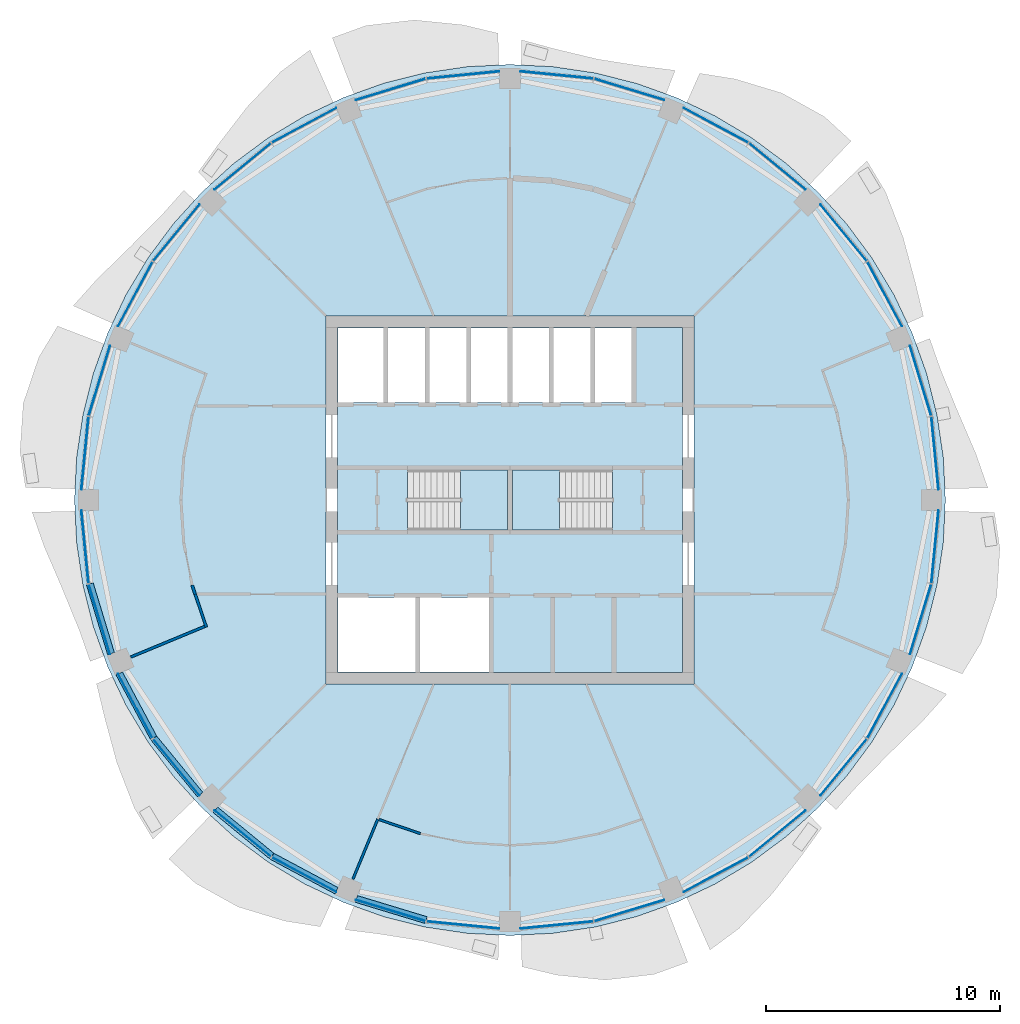
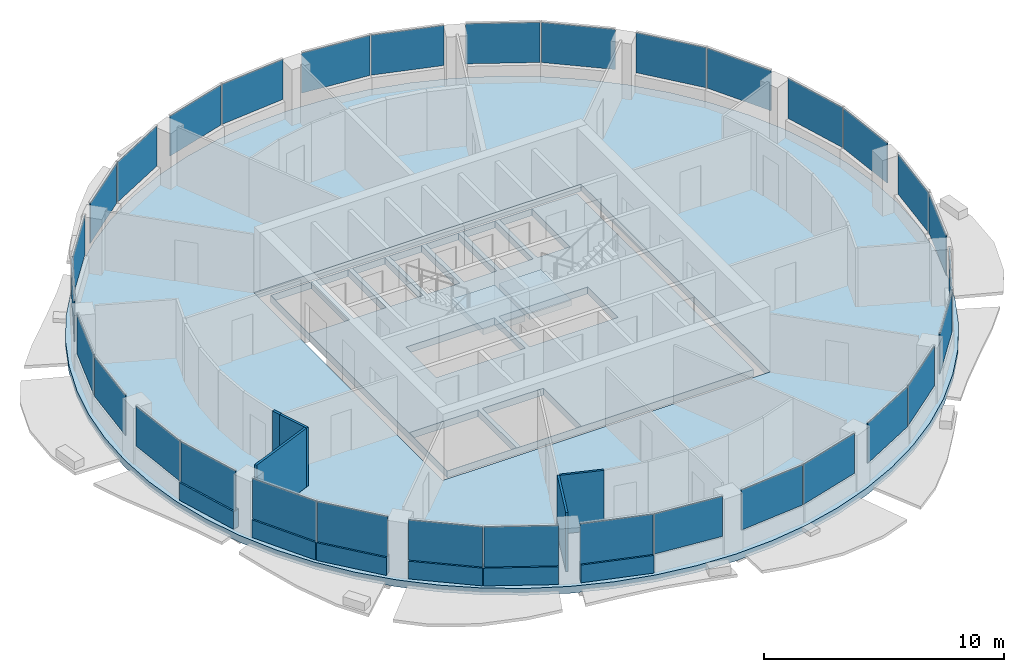
# One storey, part 7 of 15: 32 plates, 11 walls, 4 slabs, 18 elements without a shape of their own.
"""IFC4 building model written with IfcOpenShell, lengths in metres."""

from ifc_helpers import new_model, si_unit, direction, frame, frame_2d, origin, origin_2d, place, context, subcontext, project, spatial, polyline, rectangle, outline, extrude, material, layer, layer_set, type_object, element, aggregate, save


model = new_model("IFC4")

# Units and contexts
model_context = context("Model", 3, precision=1e-05, world=origin(), true_north=direction((0.0, 1.0)))
body_context = subcontext(model_context, "Body", "Model", "MODEL_VIEW")
ifc_project = project(units=[si_unit("LENGTHUNIT", "METRE"), si_unit("AREAUNIT", "SQUARE_METRE"), si_unit("VOLUMEUNIT", "CUBIC_METRE"), si_unit("PLANEANGLEUNIT", "RADIAN"), si_unit("MASSUNIT", "GRAM", prefix="KILO")], contexts=[model_context])

# Site, building, storey
site_placement = place(None, origin())
site = spatial("IfcSite", under=ifc_project, at=site_placement, CompositionType="ELEMENT")
building_placement = place(site_placement, origin())
building = spatial("IfcBuilding", under=site, at=building_placement, Name="Polderwave Tower", CompositionType="ELEMENT")
storey_placement = place(building_placement, frame((0.0, 0.0, 180.949951171875)))
storey = spatial("IfcBuildingStorey", under=building, at=storey_placement, Name="L48", CompositionType="ELEMENT", Elevation=180.949951171875)

# Slab
ifc_material_1 = material(Name="Concrete C40/50", Category="concrete")
ifc_layer_1 = layer(ifc_material_1, 0.35009765625)
ifc_layer_set_1 = layer_set([ifc_layer_1], Name="Core floor slab 350")
slab_type_1 = type_object("IfcSlabType", Name="Core floor slab 350", PredefinedType="FLOOR", material=ifc_layer_set_1)
slab_1_placement = place(storey_placement, frame((0.0, 0.0, -0.349853515625)))
element("IfcSlab", 1, at=slab_1_placement, inside=storey, type_object=slab_type_1, Name="L48 core floor", PredefinedType="FLOOR", context=body_context, shape_type="SweptSolid", body=[
    extrude(outline(polyline([(-7.3740234375, -7.3740234375), (7.3740234375, -7.3740234375), (7.3740234375, 7.3740234375), (-7.3740234375, 7.3740234375), (-7.3740234375, -7.3740234375)]), holes=[polyline([(-7.35400390625, -7.35400390625), (-4.037109375, -7.35400390625), (-4.037109375, -4.174072265625), (-7.35400390625, -4.174072265625), (-7.35400390625, -7.35400390625)]), polyline([(-3.8369140625, -7.35400390625), (-0.89990234375, -7.35400390625), (-0.89990234375, -4.174072265625), (-3.8369140625, -4.174072265625), (-3.8369140625, -7.35400390625)]), polyline([(-7.35400390625, 4.174072265625), (-5.405517578125, 4.174072265625), (-5.405517578125, 7.35400390625), (-7.35400390625, 7.35400390625), (-7.35400390625, 4.174072265625)]), polyline([(-5.20556640625, 4.174072265625), (-3.636962890625, 4.174072265625), (-3.636962890625, 7.35400390625), (-5.20556640625, 7.35400390625), (-5.20556640625, 4.174072265625)]), polyline([(-3.43701171875, 4.174072265625), (-1.868408203125, 4.174072265625), (-1.868408203125, 7.35400390625), (-3.43701171875, 7.35400390625), (-3.43701171875, 4.174072265625)]), polyline([(-1.66845703125, 4.174072265625), (-0.10009765625, 4.174072265625), (-0.10009765625, 7.35400390625), (-1.66845703125, 7.35400390625), (-1.66845703125, 4.174072265625)]), polyline([(0.10009765625, 4.174072265625), (1.66845703125, 4.174072265625), (1.66845703125, 7.35400390625), (0.10009765625, 7.35400390625), (0.10009765625, 4.174072265625)]), polyline([(1.868408203125, 4.174072265625), (3.43701171875, 4.174072265625), (3.43701171875, 7.35400390625), (1.868408203125, 7.35400390625), (1.868408203125, 4.174072265625)]), polyline([(3.636962890625, 4.174072265625), (5.20556640625, 4.174072265625), (5.20556640625, 7.35400390625), (3.636962890625, 7.35400390625), (3.636962890625, 4.174072265625)]), polyline([(-4.37353515625, -1.2744140625), (-0.1005859375, -1.2744140625), (-0.1005859375, 1.2744140625), (-4.37353515625, 1.2744140625), (-4.37353515625, -1.2744140625)]), polyline([(0.1005859375, -1.2744140625), (4.37353515625, -1.2744140625), (4.37353515625, 1.2744140625), (0.1005859375, 1.2744140625), (0.1005859375, -1.2744140625)])]), origin(), (0.0, 0.0, 1.0), 0.349853515625),
])

# Curtain wall, plates
ifc_material_2 = material(Name="Aluminium 6063-T6 and glass", Category="aluminium")
curtain_wall_type = type_object("IfcCurtainWallType", Name="Office ribbon glazing wall", PredefinedType="NOTDEFINED", material=ifc_material_2)
curtain_wall_1_placement = place(storey_placement, origin())
curtain_wall_1 = element("IfcCurtainWall", 2, at=curtain_wall_1_placement, inside=storey, type_object=curtain_wall_type, Name="CW3 L48 00", PredefinedType="NOTDEFINED")
ifc_material_3 = material(Name="Glass, low-e laminated double glazing", Category="glass")
ifc_layer_2 = layer(ifc_material_3, 0.031982421875)
ifc_layer_set_2 = layer_set([ifc_layer_2], Name="Office ribbon glazing glass panel 32 mm")
plate_type = type_object("IfcPlateType", Name="Office ribbon glazing glass panel 32 mm", PredefinedType="CURTAIN_PANEL", material=ifc_layer_set_2)
plate_1_placement = place(storey_placement, frame((18.1728515625, 2.00341796875, 0.900146484375), z_axis=(0.0, 0.0, 1.0), x_axis=(-0.098119618386, 0.995174628137, 0.0)))
plate_1 = element("IfcPlate", 3, at=plate_1_placement, type_object=plate_type, Name="CW3 panel 1", PredefinedType="CURTAIN_PANEL", context=body_context, shape_type="SweptSolid", body=[
    extrude(rectangle(XDim=3.12158203125, YDim=0.031982421875, at=origin_2d()), origin(), (0.0, 0.0, 1.0), 2.0400390625),
])
plate_2_placement = place(storey_placement, frame((17.555908203125, 5.103759765625, 0.900146484375), z_axis=(0.0, 0.0, 1.0), x_axis=(-0.290289687778, 0.956938815792, 0.0)))
plate_2 = element("IfcPlate", 4, at=plate_2_placement, type_object=plate_type, Name="CW3 panel 2", PredefinedType="CURTAIN_PANEL", context=body_context, shape_type="SweptSolid", body=[
    extrude(rectangle(XDim=3.12109375, YDim=0.031982421875, at=origin_2d()), origin(), (0.0, 0.0, 1.0), 2.0400390625),
])
aggregate(curtain_wall_1, [plate_1, plate_2])

curtain_wall_2_placement = place(storey_placement, origin())
curtain_wall_2 = element("IfcCurtainWall", 5, at=curtain_wall_2_placement, inside=storey, type_object=curtain_wall_type, Name="CW3 L48 01", PredefinedType="NOTDEFINED")
plate_3_placement = place(storey_placement, frame((16.02294921875, 8.805419921875, 0.900146484375), z_axis=(0.0, 0.0, 1.0), x_axis=(-0.471559888514, 0.88183403855, 0.0)))
plate_3 = element("IfcPlate", 6, at=plate_3_placement, type_object=plate_type, Name="CW3 panel 1", PredefinedType="CURTAIN_PANEL", context=body_context, shape_type="SweptSolid", body=[
    extrude(rectangle(XDim=3.12158203125, YDim=0.031982421875, at=origin_2d()), origin(), (0.0, 0.0, 1.0), 2.0400390625),
])
plate_4_placement = place(storey_placement, frame((14.266357421875, 11.43359375, 0.900146484375), z_axis=(0.0, 0.0, 1.0), x_axis=(-0.634482324366, 0.772937371374, 0.0)))
plate_4 = element("IfcPlate", 7, at=plate_4_placement, type_object=plate_type, Name="CW3 panel 2", PredefinedType="CURTAIN_PANEL", context=body_context, shape_type="SweptSolid", body=[
    extrude(rectangle(XDim=3.12158203125, YDim=0.031982421875, at=origin_2d()), origin(), (0.0, 0.0, 1.0), 2.0400390625),
])
aggregate(curtain_wall_2, [plate_3, plate_4])

curtain_wall_3_placement = place(storey_placement, origin())
curtain_wall_3 = element("IfcCurtainWall", 8, at=curtain_wall_3_placement, inside=storey, type_object=curtain_wall_type, Name="CW3 L48 02", PredefinedType="NOTDEFINED")
plate_5_placement = place(storey_placement, frame((11.43359375, 14.266357421875, 0.900146484375), z_axis=(0.0, 0.0, 1.0), x_axis=(-0.772937371374, 0.634482324366, 0.0)))
plate_5 = element("IfcPlate", 9, at=plate_5_placement, type_object=plate_type, Name="CW3 panel 1", PredefinedType="CURTAIN_PANEL", context=body_context, shape_type="SweptSolid", body=[
    extrude(rectangle(XDim=3.12158203125, YDim=0.031982421875, at=origin_2d()), origin(), (0.0, 0.0, 1.0), 2.0400390625),
])
plate_6_placement = place(storey_placement, frame((8.805419921875, 16.02294921875, 0.900146484375), z_axis=(0.0, 0.0, 1.0), x_axis=(-0.88183403855, 0.471559888514, 0.0)))
plate_6 = element("IfcPlate", 10, at=plate_6_placement, type_object=plate_type, Name="CW3 panel 2", PredefinedType="CURTAIN_PANEL", context=body_context, shape_type="SweptSolid", body=[
    extrude(rectangle(XDim=3.12158203125, YDim=0.031982421875, at=origin_2d()), origin(), (0.0, 0.0, 1.0), 2.0400390625),
])
aggregate(curtain_wall_3, [plate_5, plate_6])

curtain_wall_4_placement = place(storey_placement, origin())
curtain_wall_4 = element("IfcCurtainWall", 11, at=curtain_wall_4_placement, inside=storey, type_object=curtain_wall_type, Name="CW3 L48 03", PredefinedType="NOTDEFINED")
plate_7_placement = place(storey_placement, frame((5.103759765625, 17.555908203125, 0.900146484375), z_axis=(0.0, 0.0, 1.0), x_axis=(-0.956938815792, 0.290289687778, 0.0)))
plate_7 = element("IfcPlate", 12, at=plate_7_placement, type_object=plate_type, Name="CW3 panel 1", PredefinedType="CURTAIN_PANEL", context=body_context, shape_type="SweptSolid", body=[
    extrude(rectangle(XDim=3.12109375, YDim=0.031982421875, at=origin_2d()), origin(), (0.0, 0.0, 1.0), 2.0400390625),
])
plate_8_placement = place(storey_placement, frame((2.00341796875, 18.1728515625, 0.900146484375), z_axis=(0.0, 0.0, 1.0), x_axis=(-0.995174628137, 0.098119618386, 0.0)))
plate_8 = element("IfcPlate", 13, at=plate_8_placement, type_object=plate_type, Name="CW3 panel 2", PredefinedType="CURTAIN_PANEL", context=body_context, shape_type="SweptSolid", body=[
    extrude(rectangle(XDim=3.12158203125, YDim=0.031982421875, at=origin_2d()), origin(), (0.0, 0.0, 1.0), 2.0400390625),
])
aggregate(curtain_wall_4, [plate_7, plate_8])

curtain_wall_5_placement = place(storey_placement, origin())
curtain_wall_5 = element("IfcCurtainWall", 14, at=curtain_wall_5_placement, inside=storey, type_object=curtain_wall_type, Name="CW3 L48 04", PredefinedType="NOTDEFINED")
plate_9_placement = place(storey_placement, frame((-2.00341796875, 18.1728515625, 0.900146484375), z_axis=(0.0, 0.0, 1.0), x_axis=(-0.995174628137, -0.098119618386, 0.0)))
plate_9 = element("IfcPlate", 15, at=plate_9_placement, type_object=plate_type, Name="CW3 panel 1", PredefinedType="CURTAIN_PANEL", context=body_context, shape_type="SweptSolid", body=[
    extrude(rectangle(XDim=3.12158203125, YDim=0.031982421875, at=origin_2d()), origin(), (0.0, 0.0, 1.0), 2.0400390625),
])
plate_10_placement = place(storey_placement, frame((-5.103759765625, 17.555908203125, 0.900146484375), z_axis=(0.0, 0.0, 1.0), x_axis=(-0.956938815792, -0.290289687778, 0.0)))
plate_10 = element("IfcPlate", 16, at=plate_10_placement, type_object=plate_type, Name="CW3 panel 2", PredefinedType="CURTAIN_PANEL", context=body_context, shape_type="SweptSolid", body=[
    extrude(rectangle(XDim=3.12109375, YDim=0.031982421875, at=origin_2d()), origin(), (0.0, 0.0, 1.0), 2.0400390625),
])
aggregate(curtain_wall_5, [plate_9, plate_10])

curtain_wall_6_placement = place(storey_placement, origin())
curtain_wall_6 = element("IfcCurtainWall", 17, at=curtain_wall_6_placement, inside=storey, type_object=curtain_wall_type, Name="CW3 L48 05", PredefinedType="NOTDEFINED")
plate_11_placement = place(storey_placement, frame((-8.805419921875, 16.02294921875, 0.900146484375), z_axis=(0.0, 0.0, 1.0), x_axis=(-0.88183403855, -0.471559888514, 0.0)))
plate_11 = element("IfcPlate", 18, at=plate_11_placement, type_object=plate_type, Name="CW3 panel 1", PredefinedType="CURTAIN_PANEL", context=body_context, shape_type="SweptSolid", body=[
    extrude(rectangle(XDim=3.12158203125, YDim=0.031982421875, at=origin_2d()), origin(), (0.0, 0.0, 1.0), 2.0400390625),
])
plate_12_placement = place(storey_placement, frame((-11.43359375, 14.266357421875, 0.900146484375), z_axis=(0.0, 0.0, 1.0), x_axis=(-0.772937371374, -0.634482324366, 0.0)))
plate_12 = element("IfcPlate", 19, at=plate_12_placement, type_object=plate_type, Name="CW3 panel 2", PredefinedType="CURTAIN_PANEL", context=body_context, shape_type="SweptSolid", body=[
    extrude(rectangle(XDim=3.12158203125, YDim=0.031982421875, at=origin_2d()), origin(), (0.0, 0.0, 1.0), 2.0400390625),
])
aggregate(curtain_wall_6, [plate_11, plate_12])

curtain_wall_7_placement = place(storey_placement, origin())
curtain_wall_7 = element("IfcCurtainWall", 20, at=curtain_wall_7_placement, inside=storey, type_object=curtain_wall_type, Name="CW3 L48 06", PredefinedType="NOTDEFINED")
plate_13_placement = place(storey_placement, frame((-14.266357421875, 11.43359375, 0.900146484375), z_axis=(0.0, 0.0, 1.0), x_axis=(-0.634482324366, -0.772937371374, 0.0)))
plate_13 = element("IfcPlate", 21, at=plate_13_placement, type_object=plate_type, Name="CW3 panel 1", PredefinedType="CURTAIN_PANEL", context=body_context, shape_type="SweptSolid", body=[
    extrude(rectangle(XDim=3.12158203125, YDim=0.031982421875, at=origin_2d()), origin(), (0.0, 0.0, 1.0), 2.0400390625),
])
plate_14_placement = place(storey_placement, frame((-16.02294921875, 8.805419921875, 0.900146484375), z_axis=(0.0, 0.0, 1.0), x_axis=(-0.471559888514, -0.88183403855, 0.0)))
plate_14 = element("IfcPlate", 22, at=plate_14_placement, type_object=plate_type, Name="CW3 panel 2", PredefinedType="CURTAIN_PANEL", context=body_context, shape_type="SweptSolid", body=[
    extrude(rectangle(XDim=3.12158203125, YDim=0.031982421875, at=origin_2d()), origin(), (0.0, 0.0, 1.0), 2.0400390625),
])
aggregate(curtain_wall_7, [plate_13, plate_14])

curtain_wall_8_placement = place(storey_placement, origin())
curtain_wall_8 = element("IfcCurtainWall", 23, at=curtain_wall_8_placement, inside=storey, type_object=curtain_wall_type, Name="CW3 L48 07", PredefinedType="NOTDEFINED")
plate_15_placement = place(storey_placement, frame((-17.555908203125, 5.103759765625, 0.900146484375), z_axis=(0.0, 0.0, 1.0), x_axis=(-0.290289687778, -0.956938815792, 0.0)))
plate_15 = element("IfcPlate", 24, at=plate_15_placement, type_object=plate_type, Name="CW3 panel 1", PredefinedType="CURTAIN_PANEL", context=body_context, shape_type="SweptSolid", body=[
    extrude(rectangle(XDim=3.12109375, YDim=0.031982421875, at=origin_2d()), origin(), (0.0, 0.0, 1.0), 2.0400390625),
])
plate_16_placement = place(storey_placement, frame((-18.1728515625, 2.00341796875, 0.900146484375), z_axis=(0.0, 0.0, 1.0), x_axis=(-0.098119618386, -0.995174628137, 0.0)))
plate_16 = element("IfcPlate", 25, at=plate_16_placement, type_object=plate_type, Name="CW3 panel 2", PredefinedType="CURTAIN_PANEL", context=body_context, shape_type="SweptSolid", body=[
    extrude(rectangle(XDim=3.12158203125, YDim=0.031982421875, at=origin_2d()), origin(), (0.0, 0.0, 1.0), 2.0400390625),
])
aggregate(curtain_wall_8, [plate_15, plate_16])

curtain_wall_9_placement = place(storey_placement, origin())
curtain_wall_9 = element("IfcCurtainWall", 26, at=curtain_wall_9_placement, inside=storey, type_object=curtain_wall_type, Name="CW3 L48 08", PredefinedType="NOTDEFINED")
plate_17_placement = place(storey_placement, frame((-18.1728515625, -2.00341796875, 0.900146484375), z_axis=(0.0, 0.0, 1.0), x_axis=(0.098119618386, -0.995174628137, 0.0)))
plate_17 = element("IfcPlate", 27, at=plate_17_placement, type_object=plate_type, Name="CW3 panel 1", PredefinedType="CURTAIN_PANEL", context=body_context, shape_type="SweptSolid", body=[
    extrude(rectangle(XDim=3.12158203125, YDim=0.031982421875, at=origin_2d()), origin(), (0.0, 0.0, 1.0), 2.0400390625),
])
plate_18_placement = place(storey_placement, frame((-17.555908203125, -5.103759765625, 0.900146484375), z_axis=(0.0, 0.0, 1.0), x_axis=(0.290289687778, -0.956938815792, 0.0)))
plate_18 = element("IfcPlate", 28, at=plate_18_placement, type_object=plate_type, Name="CW3 panel 2", PredefinedType="CURTAIN_PANEL", context=body_context, shape_type="SweptSolid", body=[
    extrude(rectangle(XDim=3.12109375, YDim=0.031982421875, at=origin_2d()), origin(), (0.0, 0.0, 1.0), 2.0400390625),
])
aggregate(curtain_wall_9, [plate_17, plate_18])

curtain_wall_10_placement = place(storey_placement, origin())
curtain_wall_10 = element("IfcCurtainWall", 29, at=curtain_wall_10_placement, inside=storey, type_object=curtain_wall_type, Name="CW3 L48 09", PredefinedType="NOTDEFINED")
plate_19_placement = place(storey_placement, frame((-16.02294921875, -8.805419921875, 0.900146484375), z_axis=(0.0, 0.0, 1.0), x_axis=(0.471559888514, -0.88183403855, 0.0)))
plate_19 = element("IfcPlate", 30, at=plate_19_placement, type_object=plate_type, Name="CW3 panel 1", PredefinedType="CURTAIN_PANEL", context=body_context, shape_type="SweptSolid", body=[
    extrude(rectangle(XDim=3.12158203125, YDim=0.031982421875, at=origin_2d()), origin(), (0.0, 0.0, 1.0), 2.0400390625),
])
plate_20_placement = place(storey_placement, frame((-14.266357421875, -11.43359375, 0.900146484375), z_axis=(0.0, 0.0, 1.0), x_axis=(0.634482324366, -0.772937371374, 0.0)))
plate_20 = element("IfcPlate", 31, at=plate_20_placement, type_object=plate_type, Name="CW3 panel 2", PredefinedType="CURTAIN_PANEL", context=body_context, shape_type="SweptSolid", body=[
    extrude(rectangle(XDim=3.12158203125, YDim=0.031982421875, at=origin_2d()), origin(), (0.0, 0.0, 1.0), 2.0400390625),
])
aggregate(curtain_wall_10, [plate_19, plate_20])

curtain_wall_11_placement = place(storey_placement, origin())
curtain_wall_11 = element("IfcCurtainWall", 32, at=curtain_wall_11_placement, inside=storey, type_object=curtain_wall_type, Name="CW3 L48 10", PredefinedType="NOTDEFINED")
plate_21_placement = place(storey_placement, frame((-11.43359375, -14.266357421875, 0.900146484375), z_axis=(0.0, 0.0, 1.0), x_axis=(0.772937371374, -0.634482324366, 0.0)))
plate_21 = element("IfcPlate", 33, at=plate_21_placement, type_object=plate_type, Name="CW3 panel 1", PredefinedType="CURTAIN_PANEL", context=body_context, shape_type="SweptSolid", body=[
    extrude(rectangle(XDim=3.12158203125, YDim=0.031982421875, at=origin_2d()), origin(), (0.0, 0.0, 1.0), 2.0400390625),
])
plate_22_placement = place(storey_placement, frame((-8.805419921875, -16.02294921875, 0.900146484375), z_axis=(0.0, 0.0, 1.0), x_axis=(0.88183403855, -0.471559888514, 0.0)))
plate_22 = element("IfcPlate", 34, at=plate_22_placement, type_object=plate_type, Name="CW3 panel 2", PredefinedType="CURTAIN_PANEL", context=body_context, shape_type="SweptSolid", body=[
    extrude(rectangle(XDim=3.12158203125, YDim=0.031982421875, at=origin_2d()), origin(), (0.0, 0.0, 1.0), 2.0400390625),
])
aggregate(curtain_wall_11, [plate_21, plate_22])

curtain_wall_12_placement = place(storey_placement, origin())
curtain_wall_12 = element("IfcCurtainWall", 35, at=curtain_wall_12_placement, inside=storey, type_object=curtain_wall_type, Name="CW3 L48 11", PredefinedType="NOTDEFINED")
plate_23_placement = place(storey_placement, frame((-5.103759765625, -17.555908203125, 0.900146484375), z_axis=(0.0, 0.0, 1.0), x_axis=(0.956938815792, -0.290289687778, 0.0)))
plate_23 = element("IfcPlate", 36, at=plate_23_placement, type_object=plate_type, Name="CW3 panel 1", PredefinedType="CURTAIN_PANEL", context=body_context, shape_type="SweptSolid", body=[
    extrude(rectangle(XDim=3.12109375, YDim=0.031982421875, at=origin_2d()), origin(), (0.0, 0.0, 1.0), 2.0400390625),
])
plate_24_placement = place(storey_placement, frame((-2.00341796875, -18.1728515625, 0.900146484375), z_axis=(0.0, 0.0, 1.0), x_axis=(0.995174628137, -0.098119618386, 0.0)))
plate_24 = element("IfcPlate", 37, at=plate_24_placement, type_object=plate_type, Name="CW3 panel 2", PredefinedType="CURTAIN_PANEL", context=body_context, shape_type="SweptSolid", body=[
    extrude(rectangle(XDim=3.12158203125, YDim=0.031982421875, at=origin_2d()), origin(), (0.0, 0.0, 1.0), 2.0400390625),
])
aggregate(curtain_wall_12, [plate_23, plate_24])

curtain_wall_13_placement = place(storey_placement, origin())
curtain_wall_13 = element("IfcCurtainWall", 38, at=curtain_wall_13_placement, inside=storey, type_object=curtain_wall_type, Name="CW3 L48 12", PredefinedType="NOTDEFINED")
plate_25_placement = place(storey_placement, frame((2.00341796875, -18.1728515625, 0.900146484375), z_axis=(0.0, 0.0, 1.0), x_axis=(0.995174628137, 0.098119618386, 0.0)))
plate_25 = element("IfcPlate", 39, at=plate_25_placement, type_object=plate_type, Name="CW3 panel 1", PredefinedType="CURTAIN_PANEL", context=body_context, shape_type="SweptSolid", body=[
    extrude(rectangle(XDim=3.12158203125, YDim=0.031982421875, at=origin_2d()), origin(), (0.0, 0.0, 1.0), 2.0400390625),
])
plate_26_placement = place(storey_placement, frame((5.103759765625, -17.555908203125, 0.900146484375), z_axis=(0.0, 0.0, 1.0), x_axis=(0.956938815792, 0.290289687778, 0.0)))
plate_26 = element("IfcPlate", 40, at=plate_26_placement, type_object=plate_type, Name="CW3 panel 2", PredefinedType="CURTAIN_PANEL", context=body_context, shape_type="SweptSolid", body=[
    extrude(rectangle(XDim=3.12109375, YDim=0.031982421875, at=origin_2d()), origin(), (0.0, 0.0, 1.0), 2.0400390625),
])
aggregate(curtain_wall_13, [plate_25, plate_26])

curtain_wall_14_placement = place(storey_placement, origin())
curtain_wall_14 = element("IfcCurtainWall", 41, at=curtain_wall_14_placement, inside=storey, type_object=curtain_wall_type, Name="CW3 L48 13", PredefinedType="NOTDEFINED")
plate_27_placement = place(storey_placement, frame((8.805419921875, -16.02294921875, 0.900146484375), z_axis=(0.0, 0.0, 1.0), x_axis=(0.88183403855, 0.471559888514, 0.0)))
plate_27 = element("IfcPlate", 42, at=plate_27_placement, type_object=plate_type, Name="CW3 panel 1", PredefinedType="CURTAIN_PANEL", context=body_context, shape_type="SweptSolid", body=[
    extrude(rectangle(XDim=3.12158203125, YDim=0.031982421875, at=origin_2d()), origin(), (0.0, 0.0, 1.0), 2.0400390625),
])
plate_28_placement = place(storey_placement, frame((11.43359375, -14.266357421875, 0.900146484375), z_axis=(0.0, 0.0, 1.0), x_axis=(0.772937371374, 0.634482324366, 0.0)))
plate_28 = element("IfcPlate", 43, at=plate_28_placement, type_object=plate_type, Name="CW3 panel 2", PredefinedType="CURTAIN_PANEL", context=body_context, shape_type="SweptSolid", body=[
    extrude(rectangle(XDim=3.12158203125, YDim=0.031982421875, at=origin_2d()), origin(), (0.0, 0.0, 1.0), 2.0400390625),
])
aggregate(curtain_wall_14, [plate_27, plate_28])

curtain_wall_15_placement = place(storey_placement, origin())
curtain_wall_15 = element("IfcCurtainWall", 44, at=curtain_wall_15_placement, inside=storey, type_object=curtain_wall_type, Name="CW3 L48 14", PredefinedType="NOTDEFINED")
plate_29_placement = place(storey_placement, frame((14.266357421875, -11.43359375, 0.900146484375), z_axis=(0.0, 0.0, 1.0), x_axis=(0.634482324366, 0.772937371374, 0.0)))
plate_29 = element("IfcPlate", 45, at=plate_29_placement, type_object=plate_type, Name="CW3 panel 1", PredefinedType="CURTAIN_PANEL", context=body_context, shape_type="SweptSolid", body=[
    extrude(rectangle(XDim=3.12158203125, YDim=0.031982421875, at=origin_2d()), origin(), (0.0, 0.0, 1.0), 2.0400390625),
])
plate_30_placement = place(storey_placement, frame((16.02294921875, -8.805419921875, 0.900146484375), z_axis=(0.0, 0.0, 1.0), x_axis=(0.471559888514, 0.88183403855, 0.0)))
plate_30 = element("IfcPlate", 46, at=plate_30_placement, type_object=plate_type, Name="CW3 panel 2", PredefinedType="CURTAIN_PANEL", context=body_context, shape_type="SweptSolid", body=[
    extrude(rectangle(XDim=3.12158203125, YDim=0.031982421875, at=origin_2d()), origin(), (0.0, 0.0, 1.0), 2.0400390625),
])
aggregate(curtain_wall_15, [plate_29, plate_30])

curtain_wall_16_placement = place(storey_placement, origin())
curtain_wall_16 = element("IfcCurtainWall", 47, at=curtain_wall_16_placement, inside=storey, type_object=curtain_wall_type, Name="CW3 L48 15", PredefinedType="NOTDEFINED")
plate_31_placement = place(storey_placement, frame((17.555908203125, -5.103759765625, 0.900146484375), z_axis=(0.0, 0.0, 1.0), x_axis=(0.290289687778, 0.956938815792, 0.0)))
plate_31 = element("IfcPlate", 48, at=plate_31_placement, type_object=plate_type, Name="CW3 panel 1", PredefinedType="CURTAIN_PANEL", context=body_context, shape_type="SweptSolid", body=[
    extrude(rectangle(XDim=3.12109375, YDim=0.031982421875, at=origin_2d()), origin(), (0.0, 0.0, 1.0), 2.0400390625),
])
plate_32_placement = place(storey_placement, frame((18.1728515625, -2.00341796875, 0.900146484375), z_axis=(0.0, 0.0, 1.0), x_axis=(0.098119618386, 0.995174628137, 0.0)))
plate_32 = element("IfcPlate", 49, at=plate_32_placement, type_object=plate_type, Name="CW3 panel 2", PredefinedType="CURTAIN_PANEL", context=body_context, shape_type="SweptSolid", body=[
    extrude(rectangle(XDim=3.12158203125, YDim=0.031982421875, at=origin_2d()), origin(), (0.0, 0.0, 1.0), 2.0400390625),
])
aggregate(curtain_wall_16, [plate_31, plate_32])

# Slab
ifc_layer_3 = layer(ifc_material_1, 0.35009765625)
ifc_layer_set_3 = layer_set([ifc_layer_3], Name="PT FLOOR SLAB 350 C40/50")
slab_type_2 = type_object("IfcSlabType", Name="PT FLOOR SLAB 350 C40/50", PredefinedType="FLOOR", material=ifc_layer_set_3)
slab_2_placement = place(storey_placement, frame((0.0, 0.0, -0.349853515625)))
element("IfcSlab", 50, at=slab_2_placement, inside=storey, type_object=slab_type_2, Name="ST-SLAB-L48", PredefinedType="FLOOR", context=body_context, shape_type="SweptSolid", body=[
    extrude(outline(polyline([(18.6201171875, 0.0), (18.5302734375, 1.8251953125), (18.26220703125, 3.632568359375), (17.818115234375, 5.405029296875), (17.20263671875, 7.12548828125), (16.42138671875, 8.77734375), (15.48193359375, 10.3447265625), (14.3935546875, 11.8125), (13.166259765625, 13.166259765625), (11.8125, 14.3935546875), (10.3447265625, 15.48193359375), (8.77734375, 16.42138671875), (7.12548828125, 17.20263671875), (5.405029296875, 17.818115234375), (3.632568359375, 18.26220703125), (1.8251953125, 18.5302734375), (0.0, 18.6201171875), (-1.8251953125, 18.5302734375), (-3.632568359375, 18.26220703125), (-5.405029296875, 17.818115234375), (-7.12548828125, 17.20263671875), (-8.77734375, 16.42138671875), (-10.3447265625, 15.48193359375), (-11.8125, 14.3935546875), (-13.166259765625, 13.166259765625), (-14.3935546875, 11.8125), (-15.48193359375, 10.3447265625), (-16.42138671875, 8.77734375), (-17.20263671875, 7.12548828125), (-17.818115234375, 5.405029296875), (-18.26220703125, 3.632568359375), (-18.5302734375, 1.8251953125), (-18.6201171875, 0.0), (-18.5302734375, -1.8251953125), (-18.26220703125, -3.632568359375), (-17.818115234375, -5.405029296875), (-17.20263671875, -7.12548828125), (-16.42138671875, -8.77734375), (-15.48193359375, -10.3447265625), (-14.3935546875, -11.8125), (-13.166259765625, -13.166259765625), (-11.8125, -14.3935546875), (-10.3447265625, -15.48193359375), (-8.77734375, -16.42138671875), (-7.12548828125, -17.20263671875), (-5.405029296875, -17.818115234375), (-3.632568359375, -18.26220703125), (-1.8251953125, -18.5302734375), (0.0, -18.6201171875), (1.8251953125, -18.5302734375), (3.632568359375, -18.26220703125), (5.405029296875, -17.818115234375), (7.12548828125, -17.20263671875), (8.77734375, -16.42138671875), (10.3447265625, -15.48193359375), (11.8125, -14.3935546875), (13.166259765625, -13.166259765625), (14.3935546875, -11.8125), (15.48193359375, -10.3447265625), (16.42138671875, -8.77734375), (17.20263671875, -7.12548828125), (17.818115234375, -5.405029296875), (18.26220703125, -3.632568359375), (18.5302734375, -1.8251953125), (18.6201171875, 0.0)]), holes=[polyline([(-7.8740234375, -7.8740234375), (7.8740234375, -7.8740234375), (7.8740234375, 7.8740234375), (-7.8740234375, 7.8740234375), (-7.8740234375, -7.8740234375)])]), origin(), (0.0, 0.0, 1.0), 0.349853515625),
])

# Stair, slab
stair_type = type_object("IfcStairType", Name="Exit stair 1200 x 20 risers", PredefinedType="HALF_TURN_STAIR", material=ifc_material_1)
stair_1_placement = place(storey_placement, origin())
stair_1 = element("IfcStair", 51, at=stair_1_placement, inside=storey, type_object=stair_type, Name="L48 Exit stair A", PredefinedType="HALF_TURN_STAIR")
ifc_layer_4 = layer(ifc_material_1, 0.300048828125)
ifc_layer_set_4 = layer_set([ifc_layer_4], Name="Stair landing 300")
slab_type_3 = type_object("IfcSlabType", Name="Stair landing 300", PredefinedType="LANDING", material=ifc_layer_set_4)
slab_3_placement = place(storey_placement, frame((0.0, 0.0, 1.375)))
slab_3 = element("IfcSlab", 52, at=slab_3_placement, type_object=slab_type_3, Name="ST-A landing 1", PredefinedType="LANDING", context=body_context, shape_type="SweptSolid", body=[
    extrude(outline(polyline([(-2.1240234375, -1.27490234375), (-0.10009765625, -1.27490234375), (-0.10009765625, 1.27490234375), (-2.1240234375, 1.27490234375), (-2.1240234375, -1.27490234375)])), origin(), (0.0, 0.0, 1.0), 0.300048828125),
])
aggregate(stair_1, [slab_3])

stair_2_placement = place(storey_placement, origin())
stair_2 = element("IfcStair", 53, at=stair_2_placement, inside=storey, type_object=stair_type, Name="L48 Exit stair B", PredefinedType="HALF_TURN_STAIR")
slab_4_placement = place(storey_placement, frame((0.0, 0.0, 1.375)))
slab_4 = element("IfcSlab", 54, at=slab_4_placement, type_object=slab_type_3, Name="ST-B landing 1", PredefinedType="LANDING", context=body_context, shape_type="SweptSolid", body=[
    extrude(outline(polyline([(2.1240234375, 1.27490234375), (0.10009765625, 1.27490234375), (0.10009765625, -1.27490234375), (2.1240234375, -1.27490234375), (2.1240234375, 1.27490234375)])), origin(), (0.0, 0.0, 1.0), 0.300048828125),
])
aggregate(stair_2, [slab_4])

# Walls
ifc_material_4 = material(Name="Concrete C50/60 (board-marked)", Category="concrete")
ifc_layer_5 = layer(ifc_material_4, 0.300048828125)
ifc_layer_set_5 = layer_set([ifc_layer_5], Name="Concrete spandrel upstand C50/60")
wall_type_1 = type_object("IfcWallType", Name="Concrete spandrel upstand C50/60", PredefinedType="SOLIDWALL", material=ifc_layer_set_5)
for number, where, z_axis, x_axis, name in (
    (55, (-17.963623046875, -3.58837890625, 0.0), (0.0, 0.0, 1.0), (0.290421284339, -0.956898885778, 0.0), "Spandrel L48 9b"),
    (56, (-16.705810546875, -7.422119140625, 0.0), (0.0, 0.0, 1.0), (0.471598312985, -0.881813490025, 0.0), "Spandrel L48 10a"),
):
    element("IfcWall", number, at=place(storey_placement, frame(where, z_axis=z_axis, x_axis=x_axis)), inside=storey, type_object=wall_type_1, Name=name, PredefinedType="SOLIDWALL", context=body_context, shape_type="SweptSolid", body=[
        extrude(rectangle(XDim=3.1103515625, YDim=0.300048828125, at=frame_2d((1.55517578125, 0.0))), origin(), (0.0, 0.0, 1.0), 0.900146484375),
    ])
for number, where, z_axis, x_axis, name in (
    (57, (-15.222412109375, -10.189697265625, 0.0), (0.0, 0.0, 1.0), (0.634267296653, -0.773113831461, 0.0), "Spandrel L48 10b"),
    (58, (-12.594482421875, -13.24951171875, 0.0), (0.0, 0.0, 1.0), (0.773113831461, -0.634267296653, 0.0), "Spandrel L48 11a"),
):
    element("IfcWall", number, at=place(storey_placement, frame(where, z_axis=z_axis, x_axis=x_axis)), inside=storey, type_object=wall_type_1, Name=name, PredefinedType="SOLIDWALL", context=body_context, shape_type="SweptSolid", body=[
        extrude(rectangle(XDim=3.110595703125, YDim=0.300048828125, at=frame_2d((1.55517578125, 0.0))), origin(), (0.0, 0.0, 1.0), 0.900146484375),
    ])
for number, where, z_axis, x_axis, name in (
    (59, (-10.164794921875, -15.239013671875, 0.0), (0.0, 0.0, 1.0), (0.881813490025, -0.471598312985, 0.0), "Spandrel L48 11b"),
    (60, (-6.564697265625, -17.060302734375, 0.0), (0.0, 0.0, 1.0), (0.956898885778, -0.290421284339, 0.0), "Spandrel L48 12a"),
):
    element("IfcWall", number, at=place(storey_placement, frame(where, z_axis=z_axis, x_axis=x_axis)), inside=storey, type_object=wall_type_1, Name=name, PredefinedType="SOLIDWALL", context=body_context, shape_type="SweptSolid", body=[
        extrude(rectangle(XDim=3.1103515625, YDim=0.300048828125, at=frame_2d((1.55517578125, 0.0))), origin(), (0.0, 0.0, 1.0), 0.900146484375),
    ])
ifc_material_5 = material(Name="Fire-resisting board on steel studs", Category="steel")
ifc_layer_6 = layer(ifc_material_5, 0.125)
ifc_layer_set_6 = layer_set([ifc_layer_6], Name="Corridor wall 125 mm EI 60")
wall_type_2 = type_object("IfcWallType", Name="Corridor wall 125 mm EI 60", PredefinedType="PARTITIONING", material=ifc_layer_set_6)
wall_1_placement = place(storey_placement, frame((-13.460693359375, -4.0244140625, 0.0), z_axis=(0.0, 0.0, 1.0), x_axis=(-0.321530820204, 0.94689911377, 0.0)))
element("IfcWall", 61, at=wall_1_placement, inside=storey, type_object=wall_type_2, Name="IN-L48-W015", PredefinedType="PARTITIONING", context=body_context, shape_type="SweptSolid", body=[
    extrude(rectangle(XDim=0.400146484375, YDim=0.125, at=frame_2d((0.2001953125, 0.0))), origin(), (0.0, 0.0, 1.0), 3.0),
])
ifc_material_6 = material(Name="Plasterboard on steel studs", Category="steel")
ifc_layer_7 = layer(ifc_material_6, 0.10009765625)
ifc_layer_set_7 = layer_set([ifc_layer_7], Name="Partition 100 mm plasterboard on steel studs")
wall_type_3 = type_object("IfcWallType", Name="Partition 100 mm plasterboard on steel studs", PredefinedType="PARTITIONING", material=ifc_layer_set_7)
wall_2_placement = place(storey_placement, frame((-5.652099609375, -13.645751953125, 0.0), z_axis=(0.0, 0.0, 1.0), x_axis=(-0.382774716066, -0.923841716281, 0.0)))
element("IfcWall", 62, at=wall_2_placement, inside=storey, type_object=wall_type_3, Name="IN-L48-W041", PredefinedType="PARTITIONING", context=body_context, shape_type="SweptSolid", body=[
    extrude(rectangle(XDim=2.77001953125, YDim=0.10009765625, at=frame_2d((1.385009765625, 0.0))), origin(), (0.0, 0.0, 1.0), 3.0),
])
wall_3_placement = place(storey_placement, frame((-3.825927734375, -14.265625, 0.0), z_axis=(0.0, 0.0, 1.0), x_axis=(-0.946924217591, 0.321456880686, 0.0)))
element("IfcWall", 63, at=wall_3_placement, inside=storey, type_object=wall_type_3, Name="IN-L48-W042", PredefinedType="PARTITIONING", context=body_context, shape_type="SweptSolid", body=[
    extrude(rectangle(XDim=1.875244140625, YDim=0.10009765625, at=frame_2d((0.9375, 0.0))), origin(), (0.0, 0.0, 1.0), 3.0),
])
ifc_material_7 = material(Name="Acoustic double plasterboard on steel studs", Category="steel")
ifc_layer_8 = layer(ifc_material_7, 0.110107421875)
ifc_layer_set_8 = layer_set([ifc_layer_8], Name="Partition 110 mm acoustic double board")
wall_type_4 = type_object("IfcWallType", Name="Partition 110 mm acoustic double board", PredefinedType="PARTITIONING", material=ifc_layer_set_8)
wall_4_placement = place(storey_placement, frame((-13.460693359375, -4.0244140625, 0.0), z_axis=(0.0, 0.0, 1.0), x_axis=(0.321527037068, -0.946900398371, 0.0)))
element("IfcWall", 64, at=wall_4_placement, inside=storey, type_object=wall_type_4, Name="IN-L48-W037", PredefinedType="PARTITIONING", context=body_context, shape_type="SweptSolid", body=[
    extrude(rectangle(XDim=1.4912109375, YDim=0.110107421875, at=frame_2d((0.74560546875, 0.0))), origin(), (0.0, 0.0, 1.0), 3.0),
])
wall_5_placement = place(storey_placement, frame((-13.05322265625, -5.406982421875, 0.0), z_axis=(0.0, 0.0, 1.0), x_axis=(-0.923881629558, -0.382678369606, 0.0)))
element("IfcWall", 65, at=wall_5_placement, inside=storey, type_object=wall_type_4, Name="IN-L48-W038", PredefinedType="PARTITIONING", context=body_context, shape_type="SweptSolid", body=[
    extrude(rectangle(XDim=3.411376953125, YDim=0.110107421875, at=frame_2d((1.70556640625, 0.0))), origin(), (0.0, 0.0, 1.0), 3.0),
])

save(model, "model.ifc")
